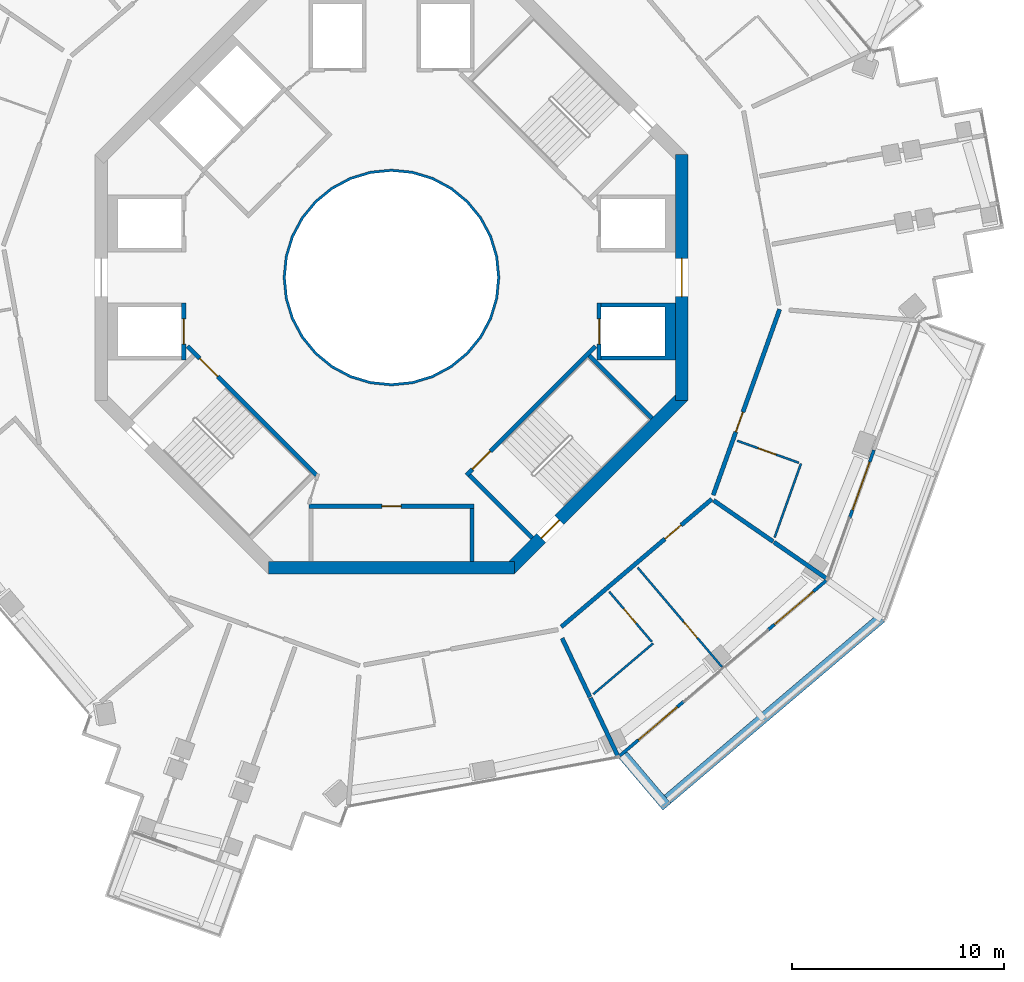
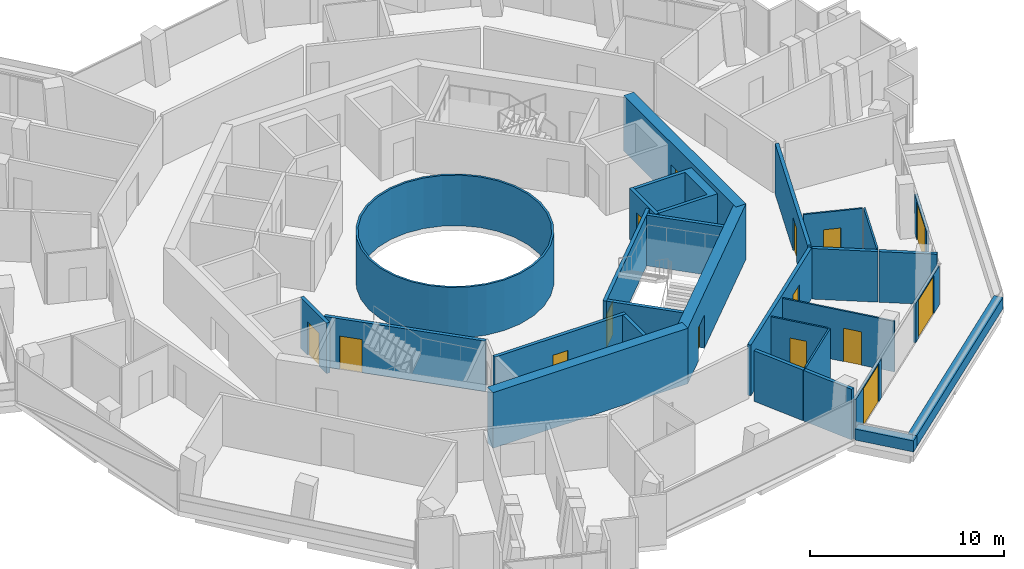
# One storey, part 15 of 21: 29 walls, 15 doors, 15 openings.
"""IFC4 building model written with IfcOpenShell, lengths in metres."""

from ifc_helpers import new_model, si_unit, direction, frame, frame_2d, origin, place, context, subcontext, project, spatial, polyline, rectangle, outline, extrude, material, layer, layer_set, type_object, element, fill, save


model = new_model("IFC4")

# Units and contexts
model_context = context("Model", 3, precision=1e-05, world=origin(), true_north=direction((0.0, 1.0)))
body_context = subcontext(model_context, "Body", "Model", "MODEL_VIEW")
ifc_project = project(units=[si_unit("LENGTHUNIT", "METRE"), si_unit("AREAUNIT", "SQUARE_METRE"), si_unit("VOLUMEUNIT", "CUBIC_METRE"), si_unit("PLANEANGLEUNIT", "RADIAN"), si_unit("MASSUNIT", "GRAM", prefix="KILO")], contexts=[model_context])

# Site, building, storey
site_placement = place(None, origin())
site = spatial("IfcSite", under=ifc_project, at=site_placement, CompositionType="ELEMENT")
building_placement = place(site_placement, origin())
building = spatial("IfcBuilding", under=site, at=building_placement, Name="Verdalira Terraces Hotel", CompositionType="ELEMENT")
storey_placement = place(building_placement, frame((0.0, 0.0, 197.5)))
storey = spatial("IfcBuildingStorey", under=building, at=storey_placement, Name="L48", CompositionType="ELEMENT", Elevation=197.5)

# Walls
ifc_material_1 = material(Name="Fire-resisting glass EI 180", Category="glass")
ifc_layer_1 = layer(ifc_material_1, 0.1201171875)
ifc_layer_set_1 = layer_set([ifc_layer_1], Name="Atrium fire screen 120 mm")
wall_type_1 = type_object("IfcWallType", Name="Atrium fire screen 120 mm", PredefinedType="SOLIDWALL", material=ifc_layer_set_1)
wall_1_placement = place(storey_placement, origin())
element("IfcWall", 1, at=wall_1_placement, inside=storey, type_object=wall_type_1, Name="Atrium fire screen", PredefinedType="SOLIDWALL", context=body_context, shape_type="SweptSolid", body=[
    extrude(outline(polyline([(5.021484, -0.998779), (4.730225, -1.959229), (4.25708, -2.844482), (3.620361, -3.620361), (2.844482, -4.25708), (1.959229, -4.730225), (0.998779, -5.021484), (0.0, -5.120117), (-0.998779, -5.021484), (-1.959229, -4.730225), (-2.844482, -4.25708), (-3.620361, -3.620361), (-4.25708, -2.844482), (-4.730225, -1.959229), (-5.021484, -0.998779), (-5.120117, 0.0), (-5.021484, 0.998779), (-4.730225, 1.959229), (-4.25708, 2.844482), (-3.620361, 3.620361), (-2.844482, 4.25708), (-1.959229, 4.730225), (-0.998779, 5.021484), (0.0, 5.120117), (0.998779, 5.021484), (1.959229, 4.730225), (2.844482, 4.25708), (3.620361, 3.620361), (4.25708, 2.844482), (4.730225, 1.959229), (5.021484, 0.998779), (5.120117, 0.0), (5.021484, -0.998779)]), holes=[polyline([(4.903809, 0.975586), (4.619385, 1.91333), (4.157227, 2.777832), (3.5354, 3.5354), (2.777832, 4.157227), (1.91333, 4.619385), (0.975586, 4.903809), (0.0, 5.0), (-0.975586, 4.903809), (-1.91333, 4.619385), (-2.777832, 4.157227), (-3.5354, 3.5354), (-4.157227, 2.777832), (-4.619385, 1.91333), (-4.903809, 0.975586), (-5.0, 0.0), (-4.903809, -0.975586), (-4.619385, -1.91333), (-4.157227, -2.777832), (-3.5354, -3.5354), (-2.777832, -4.157227), (-1.91333, -4.619385), (-0.975586, -4.903809), (0.0, -5.0), (0.975586, -4.903809), (1.91333, -4.619385), (2.777832, -4.157227), (3.5354, -3.5354), (4.157227, -2.777832), (4.619385, -1.91333), (4.903809, -0.975586), (5.0, 0.0), (4.903809, 0.975586)])]), origin(), (0.0, 0.0, 1.0), 3.189941),
])
ifc_material_2 = material(Name="Concrete C40", Category="concrete")
ifc_layer_2 = layer(ifc_material_2, 0.5)
ifc_layer_set_2 = layer_set([ifc_layer_2], Name="Balcony planter trough with tree")
wall_type_2 = type_object("IfcWallType", Name="Balcony planter trough with tree", PredefinedType="SOLIDWALL", material=ifc_layer_set_2)
wall_2_placement = place(storey_placement, frame((10.931885, -22.540527, 0.0), z_axis=(0.0, 0.0, 1.0), x_axis=(0.647050058, -0.762447521, 0.0)))
element("IfcWall", 2, at=wall_2_placement, inside=storey, type_object=wall_type_2, Name="Balcony planter", PredefinedType="SOLIDWALL", context=body_context, shape_type="SweptSolid", body=[
    extrude(rectangle(XDim=3.198975, YDim=0.5, at=frame_2d((1.599609, 0.0))), origin(), (0.0, 0.0, 1.0), 0.699951),
])
wall_3_placement = place(storey_placement, frame((13.030762, -24.627197, 0.0), z_axis=(0.0, 0.0, 1.0), x_axis=(0.762436541, 0.647062996, 0.0)))
element("IfcWall", 3, at=wall_3_placement, inside=storey, type_object=wall_type_2, Name="Balcony planter", PredefinedType="SOLIDWALL", context=body_context, shape_type="SweptSolid", body=[
    extrude(rectangle(XDim=13.223389, YDim=0.5, at=frame_2d((6.611816, 0.0))), origin(), (0.0, 0.0, 1.0), 0.699951),
])
ifc_material_3 = material(Name="Moisture-resistant gypsum board partition")
ifc_layer_3 = layer(ifc_material_3, 0.10009765625)
ifc_layer_set_3 = layer_set([ifc_layer_3], Name="Bathroom partition 100 mm")
wall_type_3 = type_object("IfcWallType", Name="Bathroom partition 100 mm", PredefinedType="PARTITIONING", material=ifc_layer_set_3)
wall_4_placement = place(storey_placement, frame((9.525879, -19.666504, 0.0), z_axis=(0.0, 0.0, 1.0), x_axis=(0.76245297, 0.647043638, 0.0)))
element("IfcWall", 4, at=wall_4_placement, inside=storey, type_object=wall_type_3, Name="Bathroom partition", PredefinedType="PARTITIONING", context=body_context, shape_type="SweptSolid", body=[
    extrude(rectangle(XDim=3.704102, YDim=0.100098, at=frame_2d((1.852051, 0.0))), origin(), (0.0, 0.0, 1.0), 3.189941),
])

# Wall, opening, door
wall_5_placement = place(storey_placement, frame((12.2854, -17.193604, 0.0), z_axis=(0.0, 0.0, 1.0), x_axis=(-0.647067627, 0.762432611, 0.0)))
wall_5 = element("IfcWall", 5, at=wall_5_placement, inside=storey, type_object=wall_type_3, Name="Bathroom partition", PredefinedType="PARTITIONING", context=body_context, shape_type="SweptSolid", body=[
    extrude(rectangle(XDim=3.100342, YDim=0.100098, at=frame_2d((1.550293, 0.0))), origin(), (0.0, 0.0, 1.0), 3.189941),
])
opening_1_placement = place(wall_5_placement, frame((1.149902, 0.0, 0.0)))
opening_1 = element("IfcOpeningElement", 6, at=opening_1_placement, cuts=wall_5, Name="Opening L48-115", PredefinedType="OPENING", context=body_context, shape_type="SweptSolid", body=[
    extrude(rectangle(XDim=0.899902, YDim=2.100098, at=frame_2d((0.449951, 1.050049))), frame((0.0, 0.060059, 0.0), z_axis=(0.0, -1.0, 0.0), x_axis=(1.0, 0.0, 0.0)), (0.0, 0.0, 1.0), 0.120117),
])
ifc_material_4 = material(Name="Timber door", Category="wood")
door_type_1 = type_object("IfcDoorType", Name="Bathroom door 900 x 2100", OperationType="NOTDEFINED", PredefinedType="DOOR", material=ifc_material_4)
door_1_placement = place(opening_1_placement, origin())
door_1 = element("IfcDoor", 7, at=door_1_placement, inside=storey, type_object=door_type_1, Name="Bathroom door 4806", OperationType="SINGLE_SWING_LEFT", OverallHeight=2.10009765625, OverallWidth=0.89990234375, PredefinedType="DOOR", context=body_context, shape_type="SweptSolid", body=[
    extrude(rectangle(XDim=0.899902, YDim=2.100098, at=frame_2d((0.449951, 1.050049))), frame((0.0, 0.024902, 0.0), z_axis=(0.0, -1.0, 0.0), x_axis=(1.0, 0.0, 0.0)), (0.0, 0.0, 1.0), 0.050049),
])
fill(opening_1, door_1)

wall_6_placement = place(storey_placement, frame((15.599365, -18.381104, 0.0), z_axis=(0.0, 0.0, 1.0), x_axis=(-0.64704669, 0.762450379, 0.0)))
wall_6 = element("IfcWall", 8, at=wall_6_placement, inside=storey, type_object=wall_type_3, Name="Bathroom partition", PredefinedType="PARTITIONING", context=body_context, shape_type="SweptSolid", body=[
    extrude(rectangle(XDim=6.149902, YDim=0.100098, at=frame_2d((3.074951, 0.0))), origin(), (0.0, 0.0, 1.0), 3.189941),
])
opening_2_placement = place(wall_6_placement, frame((1.800049, 0.0, 0.0)))
opening_2 = element("IfcOpeningElement", 9, at=opening_2_placement, cuts=wall_6, Name="Opening L48-114", PredefinedType="OPENING", context=body_context, shape_type="SweptSolid", body=[
    extrude(rectangle(XDim=1.0, YDim=2.100098, at=frame_2d((0.5, 1.050049))), frame((0.0, 0.060059, 0.0), z_axis=(0.0, -1.0, 0.0), x_axis=(1.0, 0.0, 0.0)), (0.0, 0.0, 1.0), 0.120117),
])
ifc_material_5 = material(Name="Timber door", Category="wood")
door_type_2 = type_object("IfcDoorType", Name="Suite internal door 1000 x 2100", OperationType="NOTDEFINED", PredefinedType="DOOR", material=ifc_material_5)
door_2_placement = place(opening_2_placement, origin())
door_2 = element("IfcDoor", 10, at=door_2_placement, inside=storey, type_object=door_type_2, Name="Suite internal door 4806", OperationType="SINGLE_SWING_LEFT", OverallHeight=2.10009765625, OverallWidth=1.0, PredefinedType="DOOR", context=body_context, shape_type="SweptSolid", body=[
    extrude(rectangle(XDim=1.0, YDim=2.100098, at=frame_2d((0.5, 1.050049))), frame((0.0, 0.024902, 0.0), z_axis=(0.0, -1.0, 0.0), x_axis=(1.0, 0.0, 0.0)), (0.0, 0.0, 1.0), 0.050049),
])
fill(opening_2, door_2)

wall_7_placement = place(storey_placement, frame((19.236084, -8.747314, 0.0), z_axis=(0.0, 0.0, 1.0), x_axis=(-0.941592149, 0.336755439, 0.0)))
wall_7 = element("IfcWall", 11, at=wall_7_placement, inside=storey, type_object=wall_type_3, Name="Bathroom partition", PredefinedType="PARTITIONING", context=body_context, shape_type="SweptSolid", body=[
    extrude(rectangle(XDim=3.100098, YDim=0.100098, at=frame_2d((1.550049, 0.0))), origin(), (0.0, 0.0, 1.0), 3.189941),
])
opening_3_placement = place(wall_7_placement, frame((1.149902, 0.0, 0.0)))
opening_3 = element("IfcOpeningElement", 12, at=opening_3_placement, cuts=wall_7, Name="Opening L48-117", PredefinedType="OPENING", context=body_context, shape_type="SweptSolid", body=[
    extrude(rectangle(XDim=0.899902, YDim=2.100098, at=frame_2d((0.449951, 1.050049))), frame((0.0, 0.060059, 0.0), z_axis=(0.0, -1.0, 0.0), x_axis=(1.0, 0.0, 0.0)), (0.0, 0.0, 1.0), 0.120117),
])
door_3_placement = place(opening_3_placement, origin())
door_3 = element("IfcDoor", 13, at=door_3_placement, inside=storey, type_object=door_type_1, Name="Bathroom door 4807", OperationType="SINGLE_SWING_LEFT", OverallHeight=2.10009765625, OverallWidth=0.89990234375, PredefinedType="DOOR", context=body_context, shape_type="SweptSolid", body=[
    extrude(rectangle(XDim=0.899902, YDim=2.100098, at=frame_2d((0.449951, 1.050049))), frame((0.0, 0.024902, 0.0), z_axis=(0.0, -1.0, 0.0), x_axis=(1.0, 0.0, 0.0)), (0.0, 0.0, 1.0), 0.050049),
])
fill(opening_3, door_3)

# Walls
wall_8_placement = place(storey_placement, frame((19.330322, -8.781006, 0.0), z_axis=(0.0, 0.0, 1.0), x_axis=(-0.336737198, -0.941598672, 0.0)))
element("IfcWall", 14, at=wall_8_placement, inside=storey, type_object=wall_type_3, Name="Bathroom partition", PredefinedType="PARTITIONING", context=body_context, shape_type="SweptSolid", body=[
    extrude(rectangle(XDim=3.704102, YDim=0.100098, at=frame_2d((1.852051, 0.0))), origin(), (0.0, 0.0, 1.0), 3.189941),
])
ifc_material_6 = material(Name="Concrete C50", Category="concrete")
ifc_layer_4 = layer(ifc_material_6, 0.199951171875)
ifc_layer_set_4 = layer_set([ifc_layer_4], Name="Core RC wall 200 C50")
wall_type_4 = type_object("IfcWallType", Name="Core RC wall 200 C50", PredefinedType="SOLIDWALL", material=ifc_layer_set_4)
wall_9_placement = place(storey_placement, origin())
element("IfcWall", 15, at=wall_9_placement, inside=storey, type_object=wall_type_4, Name="L48 shaft wall E1", PredefinedType="SOLIDWALL", context=body_context, shape_type="SweptSolid", body=[
    extrude(outline(polyline([(13.399902, -3.899902), (9.899902, -3.899902), (9.899902, -3.699951), (12.899902, -3.699951), (12.899902, -1.399902), (9.899902, -1.399902), (9.899902, -1.199951), (13.399902, -1.199951), (13.399902, -3.899902)])), origin(), (0.0, 0.0, 1.0), 3.189941),
])

# Wall, opening, door
wall_10_placement = place(storey_placement, frame((9.800049, -1.199951, 0.0), z_axis=(0.0, 0.0, 1.0), x_axis=(0.0, -1.0, 0.0)))
wall_10 = element("IfcWall", 16, at=wall_10_placement, inside=storey, type_object=wall_type_4, Name="L48 shaft front wall E1", PredefinedType="SOLIDWALL", context=body_context, shape_type="SweptSolid", body=[
    extrude(rectangle(XDim=2.699951, YDim=0.199951, at=frame_2d((1.350098, 0.0))), origin(), (0.0, 0.0, 1.0), 3.189941),
])
opening_4_placement = place(wall_10_placement, frame((0.75, 0.0, 0.0)))
opening_4 = element("IfcOpeningElement", 17, at=opening_4_placement, cuts=wall_10, Name="Opening LD-L48-802", PredefinedType="OPENING", context=body_context, shape_type="SweptSolid", body=[
    extrude(rectangle(XDim=1.199951, YDim=2.100098, at=frame_2d((0.600098, 1.050049))), frame((0.0, 0.109863, 0.0), z_axis=(0.0, -1.0, 0.0), x_axis=(1.0, 0.0, 0.0)), (0.0, 0.0, 1.0), 0.219971),
])
ifc_material_7 = material(Name="Stainless steel", Category="steel")
door_type_3 = type_object("IfcDoorType", Name="Landing door 1200 x 2100", OperationType="NOTDEFINED", PredefinedType="DOOR", material=ifc_material_7)
door_4_placement = place(opening_4_placement, origin())
door_4 = element("IfcDoor", 18, at=door_4_placement, inside=storey, type_object=door_type_3, Name="Lift landing door HR1 L48", OperationType="DOUBLE_DOOR_SLIDING", OverallHeight=2.10009765625, OverallWidth=1.199951171875, PredefinedType="DOOR", context=body_context, shape_type="SweptSolid", body=[
    extrude(rectangle(XDim=1.199951, YDim=2.100098, at=frame_2d((0.600098, 1.050049))), frame((0.0, 0.024902, 0.0), z_axis=(0.0, -1.0, 0.0), x_axis=(1.0, 0.0, 0.0)), (0.0, 0.0, 1.0), 0.050049),
])
fill(opening_4, door_4)

wall_11_placement = place(storey_placement, frame((-9.800049, -1.199951, 0.0), z_axis=(0.0, 0.0, 1.0), x_axis=(0.0, -1.0, 0.0)))
wall_11 = element("IfcWall", 19, at=wall_11_placement, inside=storey, type_object=wall_type_4, Name="L48 shaft front wall W2", PredefinedType="SOLIDWALL", context=body_context, shape_type="SweptSolid", body=[
    extrude(rectangle(XDim=2.699951, YDim=0.199951, at=frame_2d((1.350098, 0.0))), origin(), (0.0, 0.0, 1.0), 3.189941),
])
opening_5_placement = place(wall_11_placement, frame((0.75, 0.0, 0.0)))
opening_5 = element("IfcOpeningElement", 20, at=opening_5_placement, cuts=wall_11, Name="Opening LD-L48-807", PredefinedType="OPENING", context=body_context, shape_type="SweptSolid", body=[
    extrude(rectangle(XDim=1.199951, YDim=2.100098, at=frame_2d((0.600098, 1.050049))), frame((0.0, 0.109863, 0.0), z_axis=(0.0, -1.0, 0.0), x_axis=(1.0, 0.0, 0.0)), (0.0, 0.0, 1.0), 0.219971),
])
door_5_placement = place(opening_5_placement, origin())
door_5 = element("IfcDoor", 21, at=door_5_placement, inside=storey, type_object=door_type_3, Name="Lift landing door HR6 L48", OperationType="DOUBLE_DOOR_SLIDING", OverallHeight=2.10009765625, OverallWidth=1.199951171875, PredefinedType="DOOR", context=body_context, shape_type="SweptSolid", body=[
    extrude(rectangle(XDim=1.199951, YDim=2.100098, at=frame_2d((0.600098, 1.050049))), frame((0.0, 0.024902, 0.0), z_axis=(0.0, -1.0, 0.0), x_axis=(1.0, 0.0, 0.0)), (0.0, 0.0, 1.0), 0.050049),
])
fill(opening_5, door_5)

wall_12_placement = place(storey_placement, frame((-3.899902, -10.800049, 0.0), z_axis=(0.0, 0.0, 1.0), x_axis=(1.0, 0.0, 0.0)))
wall_12 = element("IfcWall", 22, at=wall_12_placement, inside=storey, type_object=wall_type_4, Name="L48 store front wall", PredefinedType="SOLIDWALL", context=body_context, shape_type="SweptSolid", body=[
    extrude(rectangle(XDim=7.799805, YDim=0.199951, at=frame_2d((3.899902, 0.0))), origin(), (0.0, 0.0, 1.0), 3.189941),
])
opening_6_placement = place(wall_12_placement, frame((3.449951, 0.0, 0.0)))
opening_6 = element("IfcOpeningElement", 23, at=opening_6_placement, cuts=wall_12, Name="Opening L48-801", PredefinedType="OPENING", context=body_context, shape_type="SweptSolid", body=[
    extrude(rectangle(XDim=0.899902, YDim=2.100098, at=frame_2d((0.449951, 1.050049))), frame((0.0, 0.109863, 0.0), z_axis=(0.0, -1.0, 0.0), x_axis=(1.0, 0.0, 0.0)), (0.0, 0.0, 1.0), 0.219971),
])
ifc_material_8 = material(Name="Steel fire door", Category="steel")
door_type_4 = type_object("IfcDoorType", Name="Core room door 900 x 2100", OperationType="NOTDEFINED", PredefinedType="DOOR", material=ifc_material_8)
door_6_placement = place(opening_6_placement, origin())
door_6 = element("IfcDoor", 24, at=door_6_placement, inside=storey, type_object=door_type_4, Name="Store door L48 SS", OperationType="SINGLE_SWING_LEFT", OverallHeight=2.10009765625, OverallWidth=0.89990234375, PredefinedType="DOOR", context=body_context, shape_type="SweptSolid", body=[
    extrude(rectangle(XDim=0.899902, YDim=2.100098, at=frame_2d((0.449951, 1.050049))), frame((0.0, 0.024902, 0.0), z_axis=(0.0, -1.0, 0.0), x_axis=(1.0, 0.0, 0.0)), (0.0, 0.0, 1.0), 0.050049),
])
fill(opening_6, door_6)

# Wall
wall_13_placement = place(storey_placement, frame((3.800049, -10.899902, 0.0), z_axis=(0.0, 0.0, 1.0), x_axis=(0.0, -1.0, 0.0)))
element("IfcWall", 25, at=wall_13_placement, inside=storey, type_object=wall_type_4, Name="L48 store side wall", PredefinedType="SOLIDWALL", context=body_context, shape_type="SweptSolid", body=[
    extrude(rectangle(XDim=2.5, YDim=0.199951, at=frame_2d((1.25, 0.0))), origin(), (0.0, 0.0, 1.0), 3.189941),
])

# Wall, opening, door
wall_14_placement = place(storey_placement, frame((-3.5354, -9.33374, 0.0), z_axis=(0.0, 0.0, 1.0), x_axis=(-0.707120946, 0.707092617, 0.0)))
wall_14 = element("IfcWall", 26, at=wall_14_placement, inside=storey, type_object=wall_type_4, Name="L48 stair ST2 front wall", PredefinedType="SOLIDWALL", context=body_context, shape_type="SweptSolid", body=[
    extrude(rectangle(XDim=8.61792, YDim=0.199951, at=frame_2d((4.309082, 0.0))), origin(), (0.0, 0.0, 1.0), 3.189941),
])
opening_7_placement = place(wall_14_placement, frame((6.600098, 0.0, 0.0)))
opening_7 = element("IfcOpeningElement", 27, at=opening_7_placement, cuts=wall_14, Name="Opening L48-811", PredefinedType="OPENING", context=body_context, shape_type="SweptSolid", body=[
    extrude(rectangle(XDim=1.199951, YDim=2.100098, at=frame_2d((0.600098, 1.050049))), frame((0.0, 0.109863, 0.0), z_axis=(0.0, -1.0, 0.0), x_axis=(1.0, 0.0, 0.0)), (0.0, 0.0, 1.0), 0.219971),
])
ifc_material_9 = material(Name="Steel fire door", Category="steel")
door_type_5 = type_object("IfcDoorType", Name="Stair door 1200 x 2100", OperationType="NOTDEFINED", PredefinedType="DOOR", material=ifc_material_9)
door_7_placement = place(opening_7_placement, origin())
door_7 = element("IfcDoor", 28, at=door_7_placement, inside=storey, type_object=door_type_5, Name="Stair door ST2 L48", OperationType="SINGLE_SWING_RIGHT", OverallHeight=2.10009765625, OverallWidth=1.199951171875, PredefinedType="DOOR", context=body_context, shape_type="SweptSolid", body=[
    extrude(rectangle(XDim=1.199951, YDim=2.100098, at=frame_2d((0.600098, 1.050049))), frame((0.0, 0.024902, 0.0), z_axis=(0.0, -1.0, 0.0), x_axis=(1.0, 0.0, 0.0)), (0.0, 0.0, 1.0), 0.050049),
])
fill(opening_7, door_7)

wall_15_placement = place(storey_placement, frame((9.629395, -3.23999, 0.0), z_axis=(0.0, 0.0, 1.0), x_axis=(-0.707120946, -0.707092617, 0.0)))
wall_15 = element("IfcWall", 29, at=wall_15_placement, inside=storey, type_object=wall_type_4, Name="L48 stair ST3 front wall", PredefinedType="SOLIDWALL", context=body_context, shape_type="SweptSolid", body=[
    extrude(rectangle(XDim=8.61792, YDim=0.199951, at=frame_2d((4.309082, 0.0))), origin(), (0.0, 0.0, 1.0), 3.189941),
])
opening_8_placement = place(wall_15_placement, frame((7.017822, 0.0, 0.0)))
opening_8 = element("IfcOpeningElement", 30, at=opening_8_placement, cuts=wall_15, Name="Opening L48-812", PredefinedType="OPENING", context=body_context, shape_type="SweptSolid", body=[
    extrude(rectangle(XDim=1.199951, YDim=2.100098, at=frame_2d((0.600098, 1.050049))), frame((0.0, 0.109863, 0.0), z_axis=(0.0, -1.0, 0.0), x_axis=(1.0, 0.0, 0.0)), (0.0, 0.0, 1.0), 0.219971),
])
door_8_placement = place(opening_8_placement, origin())
door_8 = element("IfcDoor", 31, at=door_8_placement, inside=storey, type_object=door_type_5, Name="Stair door ST3 L48", OperationType="SINGLE_SWING_RIGHT", OverallHeight=2.10009765625, OverallWidth=1.199951171875, PredefinedType="DOOR", context=body_context, shape_type="SweptSolid", body=[
    extrude(rectangle(XDim=1.199951, YDim=2.100098, at=frame_2d((0.600098, 1.050049))), frame((0.0, 0.024902, 0.0), z_axis=(0.0, -1.0, 0.0), x_axis=(1.0, 0.0, 0.0)), (0.0, 0.0, 1.0), 0.050049),
])
fill(opening_8, door_8)

# Walls
for number, where, z_axis, x_axis, name in (
    (32, (3.677002, -9.33374, 0.0), (0.0, 0.0, 1.0), (0.707077716, -0.707135845, 0.0), "L48 stair ST3 end wall 1"),
    (33, (9.33374, -3.677002, 0.0), (0.0, 0.0, 1.0), (0.707135845, -0.707077716, 0.0), "L48 stair ST3 end wall 2"),
):
    element("IfcWall", number, at=place(storey_placement, frame(where, z_axis=z_axis, x_axis=x_axis)), inside=storey, type_object=wall_type_4, Name=name, PredefinedType="SOLIDWALL", context=body_context, shape_type="SweptSolid", body=[
        extrude(rectangle(XDim=4.199951, YDim=0.199951, at=frame_2d((2.100098, 0.0))), origin(), (0.0, 0.0, 1.0), 3.189941),
    ])

# Wall, opening, door
ifc_material_10 = material(Name="Concrete C60", Category="concrete")
ifc_layer_5 = layer(ifc_material_10, 0.60009765625)
ifc_layer_set_5 = layer_set([ifc_layer_5], Name="Core wall 600 C60")
wall_type_5 = type_object("IfcWallType", Name="Core wall 600 C60", PredefinedType="SHEAR", material=ifc_layer_set_5)
wall_16_placement = place(storey_placement, frame((13.699951, -5.799072, 0.0), z_axis=(0.0, 0.0, 1.0), x_axis=(0.0, 1.0, 0.0)))
wall_16 = element("IfcWall", 34, at=wall_16_placement, inside=storey, type_object=wall_type_5, Name="Core wall CW-L48-1", PredefinedType="SHEAR", context=body_context, shape_type="SweptSolid", body=[
    extrude(rectangle(XDim=11.598145, YDim=0.600098, at=frame_2d((5.799072, 0.0))), origin(), (0.0, 0.0, 1.0), 3.5),
])
opening_9_placement = place(wall_16_placement, frame((4.898926, 0.0, 0.0)))
opening_9 = element("IfcOpeningElement", 35, at=opening_9_placement, cuts=wall_16, Name="Opening L48-813", PredefinedType="OPENING", context=body_context, shape_type="SweptSolid", body=[
    extrude(rectangle(XDim=1.800049, YDim=2.100098, at=frame_2d((0.899902, 1.050049))), frame((0.0, 0.310059, 0.0), z_axis=(0.0, -1.0, 0.0), x_axis=(1.0, 0.0, 0.0)), (0.0, 0.0, 1.0), 0.620117),
])
ifc_material_11 = material(Name="Steel fire door", Category="steel")
door_type_6 = type_object("IfcDoorType", Name="Core entry door pair 1800 x 2100", OperationType="NOTDEFINED", PredefinedType="DOOR", material=ifc_material_11)
door_9_placement = place(opening_9_placement, origin())
door_9 = element("IfcDoor", 36, at=door_9_placement, inside=storey, type_object=door_type_6, Name="Core entry door L48 0", OperationType="DOUBLE_DOOR_SINGLE_SWING", OverallHeight=2.10009765625, OverallWidth=1.800048828125, PredefinedType="DOOR", context=body_context, shape_type="SweptSolid", body=[
    extrude(rectangle(XDim=1.800049, YDim=2.100098, at=frame_2d((0.899902, 1.050049))), frame((0.0, 0.024902, 0.0), z_axis=(0.0, -1.0, 0.0), x_axis=(1.0, 0.0, 0.0)), (0.0, 0.0, 1.0), 0.050049),
])
fill(opening_9, door_9)

# Wall
wall_17_placement = place(storey_placement, frame((-5.799072, -13.699951, 0.0), z_axis=(0.0, 0.0, 1.0), x_axis=(1.0, 0.0, 0.0)))
element("IfcWall", 37, at=wall_17_placement, inside=storey, type_object=wall_type_5, Name="Core wall CW-L48-7", PredefinedType="SHEAR", context=body_context, shape_type="SweptSolid", body=[
    extrude(rectangle(XDim=11.598145, YDim=0.600098, at=frame_2d((5.799072, 0.0))), origin(), (0.0, 0.0, 1.0), 3.5),
])

# Wall, opening, door
wall_18_placement = place(storey_placement, frame((5.586914, -13.787842, 0.0), z_axis=(0.0, 0.0, 1.0), x_axis=(0.707106781, 0.707106781, 0.0)))
wall_18 = element("IfcWall", 38, at=wall_18_placement, inside=storey, type_object=wall_type_5, Name="Core wall CW-L48-8", PredefinedType="SHEAR", context=body_context, shape_type="SweptSolid", body=[
    extrude(rectangle(XDim=11.5979, YDim=0.600098, at=frame_2d((5.798828, 0.0))), origin(), (0.0, 0.0, 1.0), 3.5),
])
opening_10_placement = place(wall_18_placement, frame((2.099121, 0.0, 0.0)))
opening_10 = element("IfcOpeningElement", 39, at=opening_10_placement, cuts=wall_18, Name="Opening L48-818", PredefinedType="OPENING", context=body_context, shape_type="SweptSolid", body=[
    extrude(rectangle(XDim=1.199951, YDim=2.100098, at=frame_2d((0.600098, 1.050049))), frame((0.0, 0.310059, 0.0), z_axis=(0.0, -1.0, 0.0), x_axis=(1.0, 0.0, 0.0)), (0.0, 0.0, 1.0), 0.620117),
])
door_10_placement = place(opening_10_placement, origin())
door_10 = element("IfcDoor", 40, at=door_10_placement, inside=storey, type_object=door_type_5, Name="Stair exit door ST3 L48", OperationType="SINGLE_SWING_LEFT", OverallHeight=2.10009765625, OverallWidth=1.199951171875, PredefinedType="DOOR", context=body_context, shape_type="SweptSolid", body=[
    extrude(rectangle(XDim=1.199951, YDim=2.100098, at=frame_2d((0.600098, 1.050049))), frame((0.0, 0.024902, 0.0), z_axis=(0.0, -1.0, 0.0), x_axis=(1.0, 0.0, 0.0)), (0.0, 0.0, 1.0), 0.050049),
])
fill(opening_10, door_10)

# Walls
ifc_material_12 = material(Name="Fire-rated gypsum board wall")
ifc_layer_6 = layer(ifc_material_12, 0.199951171875)
ifc_layer_set_6 = layer_set([ifc_layer_6], Name="Demising wall 200 mm")
wall_type_6 = type_object("IfcWallType", Name="Demising wall 200 mm", PredefinedType="SOLIDWALL", material=ifc_layer_set_6)
wall_19_placement = place(storey_placement, frame((8.053955, -17.022949, 0.0), z_axis=(0.0, 0.0, 1.0), x_axis=(0.427669877, -0.903934995, 0.0)))
element("IfcWall", 41, at=wall_19_placement, inside=storey, type_object=wall_type_6, Name="Demising wall", PredefinedType="SOLIDWALL", context=body_context, shape_type="SweptSolid", body=[
    extrude(rectangle(XDim=3.074707, YDim=0.199951, at=frame_2d((1.537354, 0.0))), origin(), (0.0, 0.0, 1.0), 3.189941),
])
wall_20_placement = place(storey_placement, frame((9.388672, -19.84375, 0.0), z_axis=(0.0, 0.0, 1.0), x_axis=(0.427650675, -0.90394408, 0.0)))
element("IfcWall", 42, at=wall_20_placement, inside=storey, type_object=wall_type_6, Name="Demising wall", PredefinedType="SOLIDWALL", context=body_context, shape_type="SweptSolid", body=[
    extrude(rectangle(XDim=3.011475, YDim=0.199951, at=frame_2d((1.505859, 0.0))), origin(), (0.0, 0.0, 1.0), 3.189941),
])
wall_21_placement = place(storey_placement, frame((15.203613, -10.519775, 0.0), z_axis=(0.0, 0.0, 1.0), x_axis=(0.8223567, -0.568972282, 0.0)))
element("IfcWall", 43, at=wall_21_placement, inside=storey, type_object=wall_type_6, Name="Demising wall", PredefinedType="SOLIDWALL", context=body_context, shape_type="SweptSolid", body=[
    extrude(rectangle(XDim=3.418457, YDim=0.199951, at=frame_2d((1.709229, 0.0))), origin(), (0.0, 0.0, 1.0), 3.189941),
])
wall_22_placement = place(storey_placement, frame((18.05249, -12.490967, 0.0), z_axis=(0.0, 0.0, 1.0), x_axis=(0.822373098, -0.568948581, 0.0)))
element("IfcWall", 44, at=wall_22_placement, inside=storey, type_object=wall_type_6, Name="Demising wall", PredefinedType="SOLIDWALL", context=body_context, shape_type="SweptSolid", body=[
    extrude(rectangle(XDim=3.011475, YDim=0.199951, at=frame_2d((1.505859, 0.0))), origin(), (0.0, 0.0, 1.0), 3.189941),
])

# Wall, opening, door
ifc_material_13 = material(Name="Fire-rated gypsum board wall")
ifc_layer_7 = layer(ifc_material_13, 0.199951171875)
ifc_layer_set_7 = layer_set([ifc_layer_7], Name="Guest corridor wall 200 mm")
wall_type_7 = type_object("IfcWallType", Name="Guest corridor wall 200 mm", PredefinedType="SOLIDWALL", material=ifc_layer_set_7)
wall_23_placement = place(storey_placement, frame((15.118652, -10.460693, 0.0), z_axis=(0.0, 0.0, 1.0), x_axis=(-0.762438227, -0.64706101, 0.0)))
wall_23 = element("IfcWall", 45, at=wall_23_placement, inside=storey, type_object=wall_type_7, Name="Guest corridor wall", PredefinedType="SOLIDWALL", context=body_context, shape_type="SweptSolid", body=[
    extrude(rectangle(XDim=9.316895, YDim=0.199951, at=frame_2d((4.658447, 0.0))), origin(), (0.0, 0.0, 1.0), 3.189941),
])
opening_11_placement = place(wall_23_placement, frame((1.899902, 0.0, 0.0)))
opening_11 = element("IfcOpeningElement", 46, at=opening_11_placement, cuts=wall_23, Name="Opening L48-113", PredefinedType="OPENING", context=body_context, shape_type="SweptSolid", body=[
    extrude(rectangle(XDim=1.0, YDim=2.100098, at=frame_2d((0.5, 1.050049))), frame((0.0, 0.109863, 0.0), z_axis=(0.0, -1.0, 0.0), x_axis=(1.0, 0.0, 0.0)), (0.0, 0.0, 1.0), 0.219971),
])
ifc_material_14 = material(Name="Timber fire door", Category="wood")
door_type_7 = type_object("IfcDoorType", Name="Guest entry door 1000 x 2100", OperationType="NOTDEFINED", PredefinedType="DOOR", material=ifc_material_14)
door_11_placement = place(opening_11_placement, origin())
door_11 = element("IfcDoor", 47, at=door_11_placement, inside=storey, type_object=door_type_7, Name="Guest entry door 4806", OperationType="SINGLE_SWING_LEFT", OverallHeight=2.10009765625, OverallWidth=1.0, PredefinedType="DOOR", context=body_context, shape_type="SweptSolid", body=[
    extrude(rectangle(XDim=1.0, YDim=2.100098, at=frame_2d((0.5, 1.050049))), frame((0.0, 0.024902, 0.0), z_axis=(0.0, -1.0, 0.0), x_axis=(1.0, 0.0, 0.0)), (0.0, 0.0, 1.0), 0.050049),
])
fill(opening_11, door_11)

wall_24_placement = place(storey_placement, frame((18.323486, -1.5, 0.0), z_axis=(0.0, 0.0, 1.0), x_axis=(-0.336758012, -0.941591228, 0.0)))
wall_24 = element("IfcWall", 48, at=wall_24_placement, inside=storey, type_object=wall_type_7, Name="Guest corridor wall", PredefinedType="SOLIDWALL", context=body_context, shape_type="SweptSolid", body=[
    extrude(rectangle(XDim=9.31665, YDim=0.199951, at=frame_2d((4.658203, 0.0))), origin(), (0.0, 0.0, 1.0), 3.189941),
])
opening_12_placement = place(wall_24_placement, frame((5.149902, 0.0, 0.0)))
opening_12 = element("IfcOpeningElement", 49, at=opening_12_placement, cuts=wall_24, Name="Opening L48-116", PredefinedType="OPENING", context=body_context, shape_type="SweptSolid", body=[
    extrude(rectangle(XDim=1.0, YDim=2.100098, at=frame_2d((0.5, 1.050049))), frame((0.0, 0.109863, 0.0), z_axis=(0.0, -1.0, 0.0), x_axis=(1.0, 0.0, 0.0)), (0.0, 0.0, 1.0), 0.219971),
])
door_12_placement = place(opening_12_placement, origin())
door_12 = element("IfcDoor", 50, at=door_12_placement, inside=storey, type_object=door_type_7, Name="Guest entry door 4807", OperationType="SINGLE_SWING_LEFT", OverallHeight=2.10009765625, OverallWidth=1.0, PredefinedType="DOOR", context=body_context, shape_type="SweptSolid", body=[
    extrude(rectangle(XDim=1.0, YDim=2.100098, at=frame_2d((0.5, 1.050049))), frame((0.0, 0.024902, 0.0), z_axis=(0.0, -1.0, 0.0), x_axis=(1.0, 0.0, 0.0)), (0.0, 0.0, 1.0), 0.050049),
])
fill(opening_12, door_12)

ifc_material_15 = material(Name="Terracotta cladding", Category="masonry")
ifc_layer_8 = layer(ifc_material_15, 0.14990234375)
ifc_layer_set_8 = layer_set([ifc_layer_8], Name="Terracotta door pier 150")
wall_type_8 = type_object("IfcWallType", Name="Terracotta door pier 150", PredefinedType="SOLIDWALL", material=ifc_layer_set_8)
wall_25_placement = place(storey_placement, frame((10.768555, -22.579346, 0.0), z_axis=(0.0, 0.0, 1.0), x_axis=(0.762444731, 0.647053346, 0.0)))
wall_25 = element("IfcWall", 51, at=wall_25_placement, inside=storey, type_object=wall_type_8, Name="Terracotta door pier", PredefinedType="SOLIDWALL", context=body_context, shape_type="SweptSolid", body=[
    extrude(rectangle(XDim=3.967041, YDim=0.149902, at=frame_2d((1.983398, 0.0))), origin(), (0.0, 0.0, 1.0), 2.475098),
])
opening_13_placement = place(wall_25_placement, frame((1.167236, 0.0, 0.0)))
opening_13 = element("IfcOpeningElement", 52, at=opening_13_placement, cuts=wall_25, Name="Opening L48-B07", PredefinedType="OPENING", context=body_context, shape_type="SweptSolid", body=[
    extrude(rectangle(XDim=2.399902, YDim=2.399902, at=frame_2d((1.199951, 1.199951))), frame((0.0, 0.084961, 0.0), z_axis=(0.0, -1.0, 0.0), x_axis=(1.0, 0.0, 0.0)), (0.0, 0.0, 1.0), 0.169922),
])
ifc_material_16 = material(Name="Clear glass", Category="glass")
door_type_8 = type_object("IfcDoorType", Name="Balcony sliding door 2400x2400", OperationType="NOTDEFINED", PredefinedType="DOOR", material=ifc_material_16)
door_13_placement = place(opening_13_placement, origin())
door_13 = element("IfcDoor", 53, at=door_13_placement, inside=storey, type_object=door_type_8, Name="Balcony sliding door", OperationType="SLIDING_TO_LEFT", OverallHeight=2.39990234375, OverallWidth=2.39990234375, PredefinedType="DOOR", context=body_context, shape_type="SweptSolid", body=[
    extrude(rectangle(XDim=2.399902, YDim=2.399902, at=frame_2d((1.199951, 1.199951))), frame((0.0, 0.024902, 0.0), z_axis=(0.0, -1.0, 0.0), x_axis=(1.0, 0.0, 0.0)), (0.0, 0.0, 1.0), 0.050049),
])
fill(opening_13, door_13)

wall_26_placement = place(storey_placement, frame((17.776123, -16.632324, 0.0), z_axis=(0.0, 0.0, 1.0), x_axis=(0.762428215, 0.647072806, 0.0)))
wall_26 = element("IfcWall", 54, at=wall_26_placement, inside=storey, type_object=wall_type_8, Name="Terracotta door pier", PredefinedType="SOLIDWALL", context=body_context, shape_type="SweptSolid", body=[
    extrude(rectangle(XDim=3.608398, YDim=0.149902, at=frame_2d((1.804199, 0.0))), origin(), (0.0, 0.0, 1.0), 2.475098),
])
opening_14_placement = place(wall_26_placement, frame((0.399902, 0.0, 0.0)))
opening_14 = element("IfcOpeningElement", 55, at=opening_14_placement, cuts=wall_26, Name="Opening L48-B08", PredefinedType="OPENING", context=body_context, shape_type="SweptSolid", body=[
    extrude(rectangle(XDim=2.399902, YDim=2.399902, at=frame_2d((1.199951, 1.199951))), frame((0.0, 0.084961, 0.0), z_axis=(0.0, -1.0, 0.0), x_axis=(1.0, 0.0, 0.0)), (0.0, 0.0, 1.0), 0.169922),
])
door_14_placement = place(opening_14_placement, origin())
door_14 = element("IfcDoor", 56, at=door_14_placement, inside=storey, type_object=door_type_8, Name="Balcony sliding door", OperationType="SLIDING_TO_RIGHT", OverallHeight=2.39990234375, OverallWidth=2.39990234375, PredefinedType="DOOR", context=body_context, shape_type="SweptSolid", body=[
    extrude(rectangle(XDim=2.399902, YDim=2.399902, at=frame_2d((1.199951, 1.199951))), frame((0.0, 0.024902, 0.0), z_axis=(0.0, -1.0, 0.0), x_axis=(1.0, 0.0, 0.0)), (0.0, 0.0, 1.0), 0.050049),
])
fill(opening_14, door_14)

wall_27_placement = place(storey_placement, frame((21.625732, -11.345459, 0.0), z_axis=(0.0, 0.0, 1.0), x_axis=(0.336768495, 0.941587479, 0.0)))
wall_27 = element("IfcWall", 57, at=wall_27_placement, inside=storey, type_object=wall_type_8, Name="Terracotta door pier", PredefinedType="SOLIDWALL", context=body_context, shape_type="SweptSolid", body=[
    extrude(rectangle(XDim=3.399902, YDim=0.149902, at=frame_2d((1.699951, 0.0))), origin(), (0.0, 0.0, 1.0), 2.475098),
])
opening_15_placement = place(wall_27_placement, frame((0.399902, 0.0, 0.0)))
opening_15 = element("IfcOpeningElement", 58, at=opening_15_placement, cuts=wall_27, Name="Opening L48-B09", PredefinedType="OPENING", context=body_context, shape_type="SweptSolid", body=[
    extrude(rectangle(XDim=2.399902, YDim=2.399902, at=frame_2d((1.199951, 1.199951))), frame((0.0, 0.084961, 0.0), z_axis=(0.0, -1.0, 0.0), x_axis=(1.0, 0.0, 0.0)), (0.0, 0.0, 1.0), 0.169922),
])
door_15_placement = place(opening_15_placement, origin())
door_15 = element("IfcDoor", 59, at=door_15_placement, inside=storey, type_object=door_type_8, Name="Balcony sliding door", OperationType="SLIDING_TO_RIGHT", OverallHeight=2.39990234375, OverallWidth=2.39990234375, PredefinedType="DOOR", context=body_context, shape_type="SweptSolid", body=[
    extrude(rectangle(XDim=2.399902, YDim=2.399902, at=frame_2d((1.199951, 1.199951))), frame((0.0, 0.024902, 0.0), z_axis=(0.0, -1.0, 0.0), x_axis=(1.0, 0.0, 0.0)), (0.0, 0.0, 1.0), 0.050049),
])
fill(opening_15, door_15)

save(model, "model.ifc")
